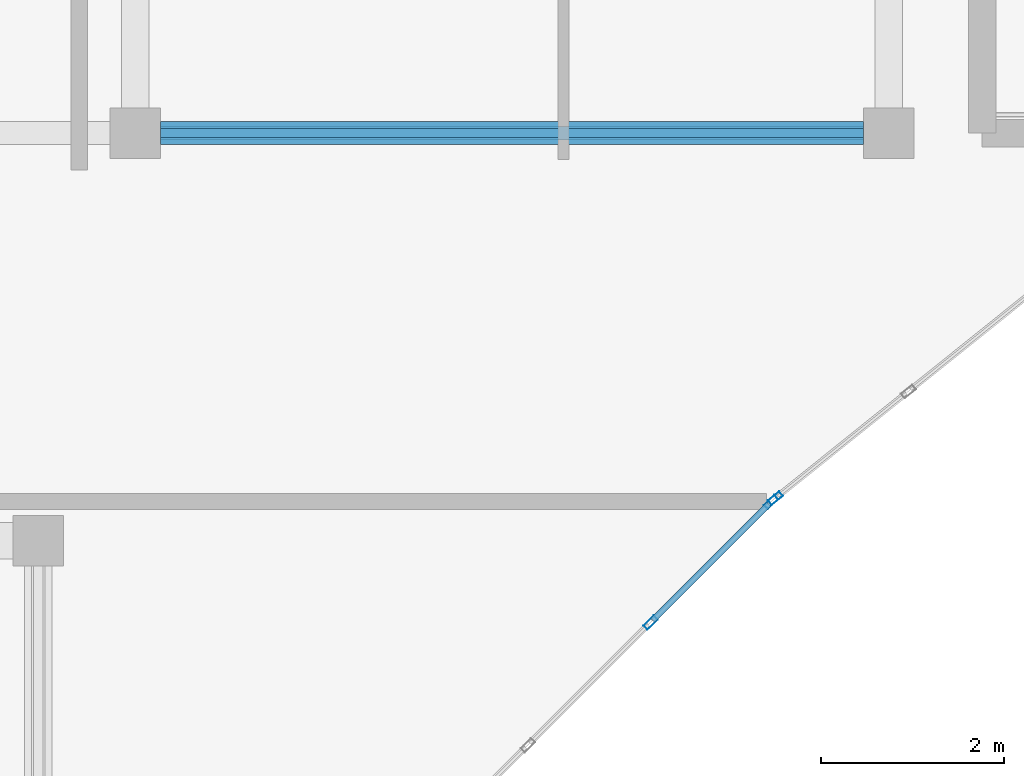
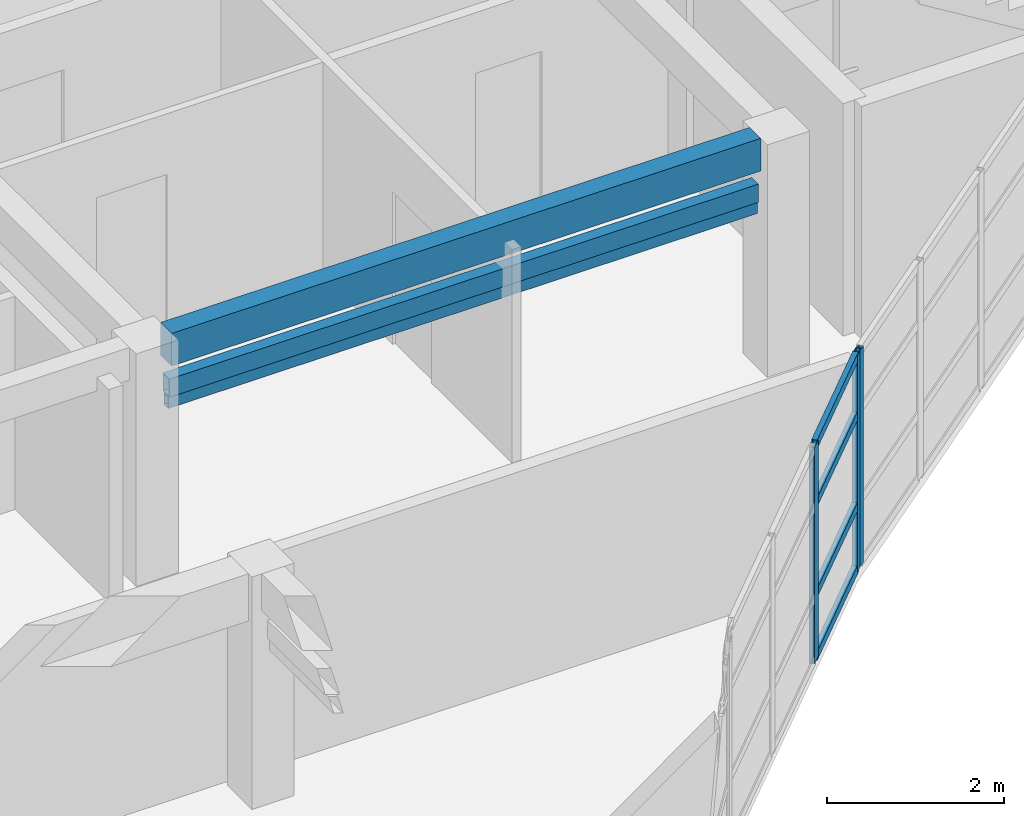
# One storey, part 8 of 54: 9 members, 1 beam, 2 elements without a shape of their own.
"""IFC4 building model written with IfcOpenShell, lengths in metres."""

from ifc_helpers import new_model, si_unit, direction, frame, origin, origin_2d, place, context, subcontext, project, spatial, rectangle, hollow_rectangle, extrude, material, layer, layer_set, material_profile, profile_set, type_object, element, aggregate, save


model = new_model("IFC4")

# Units and contexts
model_context = context("Model", 3, precision=1e-05, world=origin(), true_north=direction((0.0, 1.0)))
body_context = subcontext(model_context, "Body", "Model", "MODEL_VIEW")
ifc_project = project(units=[si_unit("LENGTHUNIT", "METRE"), si_unit("AREAUNIT", "SQUARE_METRE"), si_unit("VOLUMEUNIT", "CUBIC_METRE"), si_unit("PLANEANGLEUNIT", "RADIAN"), si_unit("MASSUNIT", "GRAM", prefix="KILO")], contexts=[model_context])

# Site, building, storey
site_placement = place(None, origin())
site = spatial("IfcSite", under=ifc_project, at=site_placement, CompositionType="ELEMENT")
building_placement = place(site_placement, origin())
building = spatial("IfcBuilding", under=site, at=building_placement, Name="Keldmere Railside Commons", CompositionType="ELEMENT")
storey_placement = place(building_placement, frame((0.0, 0.0, 26.56005859375)))
storey = spatial("IfcBuildingStorey", under=building, at=storey_placement, Name="L08", CompositionType="ELEMENT", Elevation=26.56005859375)

# Member
ifc_material_1 = material(Name="Steel F-36 (S355)", Category="steel")
ifc_material_profile_1 = material_profile(ifc_material_1, hollow_rectangle(XDim=0.14990234375, YDim=0.25, WallThickness=0.010009765625, at=origin_2d()), Name="RHS-250x150x10")
ifc_profile_set_1 = profile_set([ifc_material_profile_1], Name="Steel F-36 (S355)")
member_type_1 = type_object("IfcMemberType", Name="Balcony Continuous Planted Trough RHS250x150", PredefinedType="CHORD", material=ifc_profile_set_1)
member_1_placement = place(storey_placement, frame((64.885009765625, 100.449951171875, 2.4150390625), z_axis=(1.0, 0.0, 0.0), x_axis=(0.0, 1.0, 0.0)))
element("IfcMember", 1, at=member_1_placement, inside=storey, type_object=member_type_1, Name="PLT-1 MEM-BPLT-0871", PredefinedType="CHORD", context=body_context, shape_type="SweptSolid", body=[
    extrude(hollow_rectangle(XDim=0.14990234375, YDim=0.25, WallThickness=0.010009765625, at=origin_2d()), origin(), (0.0, 0.0, 1.0), 7.669921875),
])

# Beam
ifc_material_2 = material(Name="Architectural Precast Concrete H-35 (C35/45)", Category="concrete")
ifc_material_profile_2 = material_profile(ifc_material_2, rectangle(XDim=0.25, YDim=0.449951171875, at=origin_2d()), Name="RC-250x450")
ifc_profile_set_2 = profile_set([ifc_material_profile_2], Name="Architectural Precast Concrete H-35 (C35/45)")
beam_type = type_object("IfcBeamType", Name="Perimeter Precast Spandrel Beam 250x450", PredefinedType="SPANDREL", material=ifc_profile_set_2)
beam_placement = place(storey_placement, frame((64.885009765625, 100.449951171875, 2.974853515625), z_axis=(1.0, 0.0, 0.0), x_axis=(0.0, 1.0, 0.0)))
element("IfcBeam", 2, at=beam_placement, inside=storey, type_object=beam_type, Name="SPB-1 BM-L08-2192", PredefinedType="SPANDREL", context=body_context, shape_type="SweptSolid", body=[
    extrude(rectangle(XDim=0.25, YDim=0.449951171875, at=origin_2d()), origin(), (0.0, 0.0, 1.0), 7.669921875),
])

# Member
ifc_material_profile_3 = material_profile(ifc_material_1, hollow_rectangle(XDim=0.10009765625, YDim=0.159912109375, WallThickness=0.008056640625, at=origin_2d()), Name="RHS-160x100x8")
ifc_profile_set_3 = profile_set([ifc_material_profile_3], Name="Steel F-36 (S355)")
member_type_2 = type_object("IfcMemberType", Name="Solar Brise-Soleil Louvre Fin RHS160x100", PredefinedType="STRUT", material=ifc_profile_set_3)
member_2_placement = place(storey_placement, frame((64.885009765625, 100.449951171875, 2.199951171875), z_axis=(1.0, 0.0, 0.0), x_axis=(0.0, 1.0, 0.0)))
element("IfcMember", 3, at=member_2_placement, inside=storey, type_object=member_type_2, Name="BSF-1 MEM-BSF-0872", PredefinedType="STRUT", context=body_context, shape_type="SweptSolid", body=[
    extrude(hollow_rectangle(XDim=0.10009765625, YDim=0.159912109375, WallThickness=0.008056640625, at=origin_2d()), origin(), (0.0, 0.0, 1.0), 7.669921875),
])

# Curtain wall, members
ifc_material_3 = material(Name="Thermally Broken Aluminium", Category="aluminium")
ifc_layer_1 = layer(ifc_material_3, 0.159912109375, Name="Court Chord Wintergarden CW 5400x2850")
ifc_layer_set_1 = layer_set([ifc_layer_1], Name="Thermally Broken Aluminium")
curtain_wall_type_1 = type_object("IfcCurtainWallType", Name="Court Chord Wintergarden CW 5400x2850", PredefinedType="NOTDEFINED", material=ifc_layer_set_1)
curtain_wall_1_placement = place(storey_placement, origin())
curtain_wall_1 = element("IfcCurtainWall", 4, at=curtain_wall_1_placement, inside=storey, type_object=curtain_wall_type_1, Name="CW-13 CW-L08-074", PredefinedType="NOTDEFINED")
ifc_material_profile_4 = material_profile(ifc_material_3, hollow_rectangle(XDim=0.06494140625, YDim=0.159912109375, WallThickness=0.00390625, at=origin_2d()), Name="ALU-MULL-65x160")
ifc_profile_set_4 = profile_set([ifc_material_profile_4], Name="Thermally Broken Aluminium")
member_type_3 = type_object("IfcMemberType", Name="Unitised Curtain Wall Mullion 65x160", PredefinedType="MULLION", material=ifc_profile_set_4)
member_3_placement = place(storey_placement, frame((71.547119140625, 96.423095703125, 0.0), z_axis=(0.0, 0.0, 1.0), x_axis=(0.707106781187, -0.707106781187, 0.0)))
member_3 = element("IfcMember", 5, at=member_3_placement, type_object=member_type_3, Name="CW-13 mullion 1", PredefinedType="MULLION", context=body_context, shape_type="SweptSolid", body=[
    extrude(hollow_rectangle(XDim=0.06494140625, YDim=0.159912109375, WallThickness=0.00390625, at=origin_2d()), origin(), (0.0, 0.0, 1.0), 2.97998046875),
])
member_4_placement = place(storey_placement, frame((70.2314453125, 95.107421875, 0.0), z_axis=(0.0, 0.0, 1.0), x_axis=(0.707106781187, -0.707106781187, 0.0)))
member_4 = element("IfcMember", 6, at=member_4_placement, type_object=member_type_3, Name="CW-13 mullion 2", PredefinedType="MULLION", context=body_context, shape_type="SweptSolid", body=[
    extrude(hollow_rectangle(XDim=0.06494140625, YDim=0.159912109375, WallThickness=0.00390625, at=origin_2d()), origin(), (0.0, 0.0, 1.0), 2.97998046875),
])

# Curtain wall, member
ifc_layer_2 = layer(ifc_material_3, 0.159912109375, Name="Court Chord Wintergarden CW 4800x2850")
ifc_layer_set_2 = layer_set([ifc_layer_2], Name="Thermally Broken Aluminium")
curtain_wall_type_2 = type_object("IfcCurtainWallType", Name="Court Chord Wintergarden CW 4800x2850", PredefinedType="NOTDEFINED", material=ifc_layer_set_2)
curtain_wall_2_placement = place(storey_placement, origin())
curtain_wall_2 = element("IfcCurtainWall", 7, at=curtain_wall_2_placement, inside=storey, type_object=curtain_wall_type_2, Name="CW-12 CW-L08-075", PredefinedType="NOTDEFINED")
member_5_placement = place(storey_placement, frame((71.595458984375, 96.46630859375, 0.0), z_axis=(0.0, 0.0, 1.0), x_axis=(0.625768080915, -0.780009172323, 0.0)))
member_5 = element("IfcMember", 8, at=member_5_placement, type_object=member_type_3, Name="CW-12 mullion 4", PredefinedType="MULLION", context=body_context, shape_type="SweptSolid", body=[
    extrude(hollow_rectangle(XDim=0.06494140625, YDim=0.159912109375, WallThickness=0.00390625, at=origin_2d()), origin(), (0.0, 0.0, 1.0), 2.97998046875),
])
aggregate(curtain_wall_2, [member_5])

# Member
ifc_material_profile_5 = material_profile(ifc_material_3, hollow_rectangle(XDim=0.06494140625, YDim=0.1201171875, WallThickness=0.00390625, at=origin_2d()), Name="ALU-TRAN-65x120")
ifc_profile_set_5 = profile_set([ifc_material_profile_5], Name="Thermally Broken Aluminium")
member_type_4 = type_object("IfcMemberType", Name="Unitised Curtain Wall Transom 65x120", PredefinedType="USERDEFINED", material=ifc_profile_set_5)
member_6_placement = place(storey_placement, frame((71.52392578125, 96.400146484375, 0.032470703125), z_axis=(-0.707038793419, -0.707174762418, 0.0), x_axis=(0.707174762418, -0.707038793419, 0.0)))
member_6 = element("IfcMember", 9, at=member_6_placement, type_object=member_type_4, Name="CW-13 transom 1.1", ObjectType="TRANSOM", PredefinedType="USERDEFINED", context=body_context, shape_type="SweptSolid", body=[
    extrude(hollow_rectangle(XDim=0.06494140625, YDim=0.1201171875, WallThickness=0.00390625, at=origin_2d()), origin(), (0.0, 0.0, 1.0), 1.795654296875),
])

member_7_placement = place(storey_placement, frame((71.52392578125, 96.400146484375, 0.89990234375), z_axis=(-0.707038793419, -0.707174762418, 0.0), x_axis=(0.707174762418, -0.707038793419, 0.0)))
member_7 = element("IfcMember", 10, at=member_7_placement, type_object=member_type_4, Name="CW-13 transom 1.2", ObjectType="TRANSOM", PredefinedType="USERDEFINED", context=body_context, shape_type="SweptSolid", body=[
    extrude(hollow_rectangle(XDim=0.06494140625, YDim=0.1201171875, WallThickness=0.00390625, at=origin_2d()), origin(), (0.0, 0.0, 1.0), 1.795654296875),
])

member_8_placement = place(storey_placement, frame((71.52392578125, 96.400146484375, 2.14990234375), z_axis=(-0.707038793419, -0.707174762418, 0.0), x_axis=(0.707174762418, -0.707038793419, 0.0)))
member_8 = element("IfcMember", 11, at=member_8_placement, type_object=member_type_4, Name="CW-13 transom 1.3", ObjectType="TRANSOM", PredefinedType="USERDEFINED", context=body_context, shape_type="SweptSolid", body=[
    extrude(hollow_rectangle(XDim=0.06494140625, YDim=0.1201171875, WallThickness=0.00390625, at=origin_2d()), origin(), (0.0, 0.0, 1.0), 1.795654296875),
])

member_9_placement = place(storey_placement, frame((71.52392578125, 96.400146484375, 2.947509765625), z_axis=(-0.707038793419, -0.707174762418, 0.0), x_axis=(0.707174762418, -0.707038793419, 0.0)))
member_9 = element("IfcMember", 12, at=member_9_placement, type_object=member_type_4, Name="CW-13 transom 1.4", ObjectType="TRANSOM", PredefinedType="USERDEFINED", context=body_context, shape_type="SweptSolid", body=[
    extrude(hollow_rectangle(XDim=0.06494140625, YDim=0.1201171875, WallThickness=0.00390625, at=origin_2d()), origin(), (0.0, 0.0, 1.0), 1.795654296875),
])

aggregate(curtain_wall_1, [member_3, member_4, member_6, member_7, member_8, member_9])

save(model, "model.ifc")
